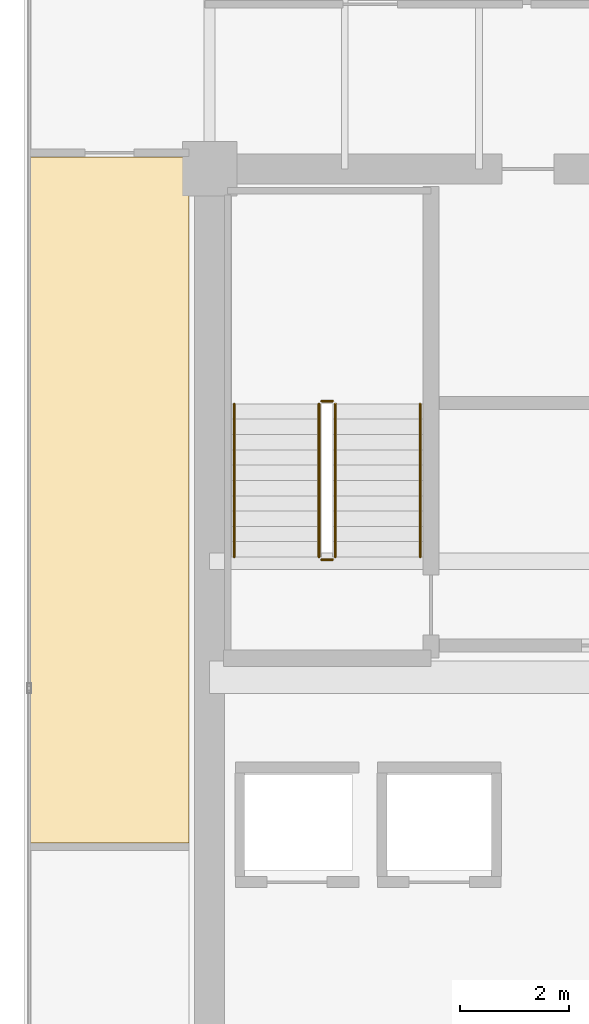
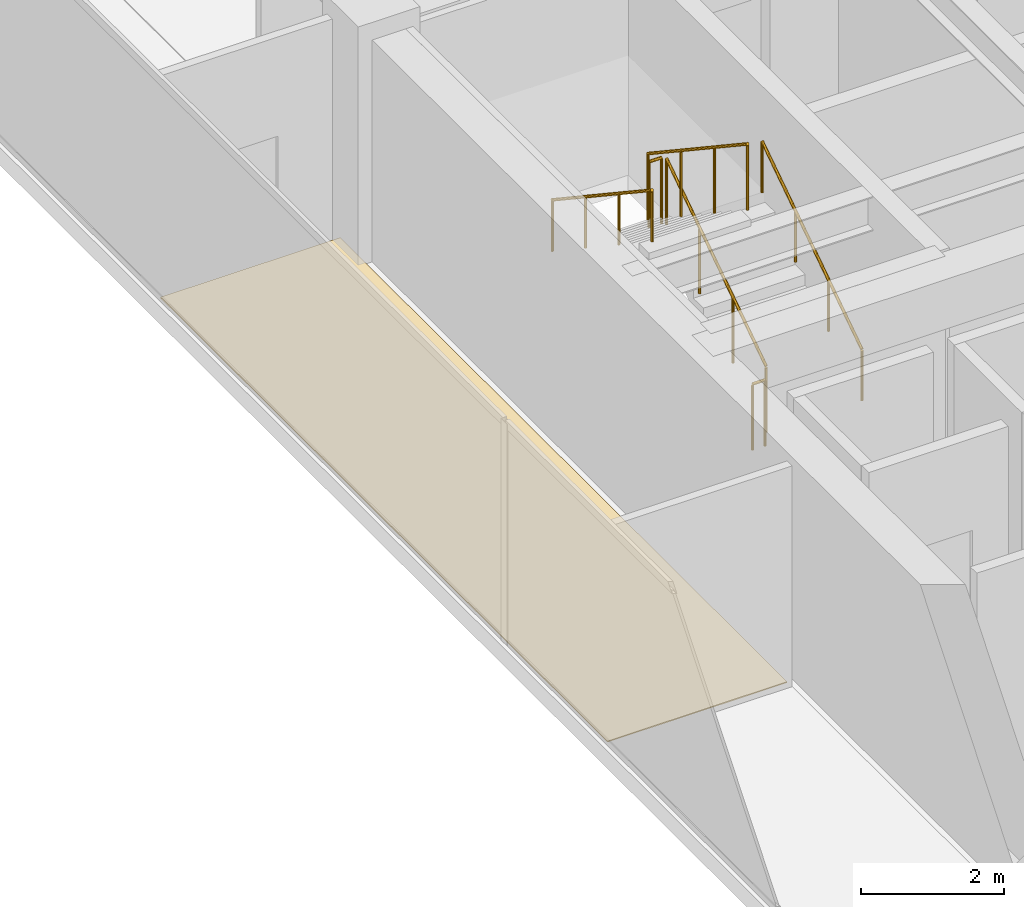
# One storey, part 33 of 36: 6 railings, 1 covering.
"""IFC4 building model written with IfcOpenShell, lengths in metres."""

from ifc_helpers import new_model, si_unit, direction, frame, origin, origin_2d, place, context, subcontext, project, spatial, polyline, circle, outline, extrude, source, transform, mapped, material, layer, layer_set, type_object, type_shapes, element, save


model = new_model("IFC4")

# Units and contexts
model_context = context("Model", 3, precision=1e-05, world=origin(), true_north=direction((0.0, 1.0)))
body_context = subcontext(model_context, "Body", "Model", "MODEL_VIEW")
ifc_project = project(units=[si_unit("LENGTHUNIT", "METRE"), si_unit("AREAUNIT", "SQUARE_METRE"), si_unit("VOLUMEUNIT", "CUBIC_METRE"), si_unit("PLANEANGLEUNIT", "RADIAN"), si_unit("MASSUNIT", "GRAM", prefix="KILO")], contexts=[model_context])

# Site, building, storey
site_placement = place(None, origin())
site = spatial("IfcSite", under=ifc_project, at=site_placement, CompositionType="ELEMENT")
building_placement = place(site_placement, origin())
building = spatial("IfcBuilding", under=site, at=building_placement, Name="Haelvirn Gate Laboratories", CompositionType="ELEMENT")
storey_placement = place(building_placement, frame((0.0, 0.0, 254.699951171875)))
storey = spatial("IfcBuildingStorey", under=building, at=storey_placement, Name="L61", CompositionType="ELEMENT", Elevation=254.699951171875)

# Covering
ifc_material_1 = material(Name="Seamless chemical-resistant epoxy laboratory flooring")
ifc_layer = layer(ifc_material_1, 0.01806640625, Name="COV-FLR-RESIN")
ifc_layer_set = layer_set([ifc_layer], Name="Seamless chemical-resistant epoxy laboratory flooring")
covering_type = type_object("IfcCoveringType", Name="COV-FLR-RESIN", PredefinedType="FLOORING", material=ifc_layer_set)
covering_placement = place(storey_placement, origin())
element("IfcCovering", 1, at=covering_placement, inside=storey, type_object=covering_type, Name="L61 Seamless Laboratory Flooring FLR-SP-L61-WZ3-N", PredefinedType="FLOORING", context=body_context, shape_type="SweptSolid", body=[
    extrude(outline(polyline([(4.110107421875, 34.014892578125), (7.02001953125, 34.014892578125), (7.02001953125, 21.469970703125), (4.110107421875, 21.469970703125), (4.110107421875, 34.014892578125)])), origin(), (0.0, 0.0, 1.0), 0.01806640625),
])

# Railings
ifc_material_2 = material(Name="Galvanised steel SM355 & stainless top rail", Category="steel")
railing_type_1 = type_object("IfcRailingType", Name="RL-GUARD-1150", PredefinedType="GUARDRAIL", material=ifc_material_2)
shared_shape_1 = source(origin(), body_context, "Body", "SweptSolid", [
    extrude(circle(Radius=0.02392578125, at=origin_2d()), frame((0.0, 0.0, 1.1259765625), z_axis=(-1.0, 0.0, 0.0), x_axis=(0.0, -1.0, 0.0)), (0.0, 0.0, 1.0), 0.199951171875),
    extrude(circle(Radius=0.02099609375, at=origin_2d()), origin(), (0.0, 0.0, 1.0), 1.101806640625),
    extrude(circle(Radius=0.02099609375, at=origin_2d()), frame((-0.199951171875, 0.0, 0.0)), (0.0, 0.0, 1.0), 1.101806640625),
])
for number, where, name in (
    (2, (9.64990234375, 29.550048828125, 2.050048828125), "L61 ST1 stair guard 2"),
    (3, (9.64990234375, 26.64990234375, 0.0), "L61 ST1 stair guard 4"),
):
    element("IfcRailing", number, at=place(storey_placement, frame(where)), inside=storey, type_object=railing_type_1, Name=name, PredefinedType="GUARDRAIL", context=body_context, shape_type="MappedRepresentation", body=[
        mapped(shared_shape_1, transform((0.0, 0.0, 0.0), scale=1.0)),
    ])
shared_shape_2 = source(origin(), body_context, "Body", "SweptSolid", [
    extrude(circle(Radius=0.02392578125, at=origin_2d()), frame((0.0, 0.0, 1.1259765625), z_axis=(0.0, 0.832485552168, 0.554046753832), x_axis=(-1.0, 0.0, 0.0)), (0.0, 0.0, 1.0), 3.363525390625),
    extrude(circle(Radius=0.02099609375, at=origin_2d()), origin(), (0.0, 0.0, 1.0), 1.101806640625),
    extrude(circle(Radius=0.02099609375, at=origin_2d()), frame((0.0, 0.933349609375, 0.62109375)), (0.0, 0.0, 1.0), 1.101806640625),
    extrude(circle(Radius=0.02099609375, at=origin_2d()), frame((0.0, 1.86669921875, 1.242431640625)), (0.0, 0.0, 1.0), 1.101806640625),
    extrude(circle(Radius=0.02099609375, at=origin_2d()), frame((0.0, 2.800048828125, 1.863525390625)), (0.0, 0.0, 1.0), 1.101806640625),
])
railing_1_placement = place(storey_placement, frame((9.699951171875, 26.699951171875, 0.1865234375)))
element("IfcRailing", 4, at=railing_1_placement, inside=storey, type_object=railing_type_1, Name="L61 ST1 stair guard 1", PredefinedType="GUARDRAIL", context=body_context, shape_type="MappedRepresentation", body=[
    mapped(shared_shape_2, transform((0.0, 0.0, 0.0), scale=1.0)),
])
shared_shape_3 = source(origin(), body_context, "Body", "SweptSolid", [
    extrude(circle(Radius=0.02392578125, at=origin_2d()), frame((0.0, 0.0, 1.1259765625), z_axis=(0.0, -0.832452072856, 0.554097055034), x_axis=(1.0, 0.0, 0.0)), (0.0, 0.0, 1.0), 3.363525390625),
    extrude(circle(Radius=0.02099609375, at=origin_2d()), origin(), (0.0, 0.0, 1.0), 1.101806640625),
    extrude(circle(Radius=0.02099609375, at=origin_2d()), frame((0.0, -0.933349609375, 0.621337890625)), (0.0, 0.0, 1.0), 1.101806640625),
    extrude(circle(Radius=0.02099609375, at=origin_2d()), frame((0.0, -1.86669921875, 1.242431640625)), (0.0, 0.0, 1.0), 1.101806640625),
    extrude(circle(Radius=0.02099609375, at=origin_2d()), frame((0.0, -2.800048828125, 1.86376953125)), (0.0, 0.0, 1.0), 1.101806640625),
])
type_shapes(railing_type_1, [shared_shape_1, shared_shape_2, shared_shape_3])
railing_2_placement = place(storey_placement, frame((9.39990234375, 29.5, 2.236328125)))
element("IfcRailing", 5, at=railing_2_placement, inside=storey, type_object=railing_type_1, Name="L61 ST1 stair guard 3", PredefinedType="GUARDRAIL", context=body_context, shape_type="MappedRepresentation", body=[
    mapped(shared_shape_3, transform((0.0, 0.0, 0.0), scale=1.0)),
])
ifc_material_3 = material(Name="Brushed stainless steel 316L", Category="steel")
railing_type_2 = type_object("IfcRailingType", Name="RL-HAND-920", PredefinedType="HANDRAIL", material=ifc_material_3)
shared_shape_4 = source(origin(), body_context, "Body", "SweptSolid", [
    extrude(circle(Radius=0.02392578125, at=origin_2d()), frame((0.0, 0.0, 0.8759765625), z_axis=(0.0, 0.832485552168, 0.554046753832), x_axis=(-1.0, 0.0, 0.0)), (0.0, 0.0, 1.0), 3.363525390625),
    extrude(circle(Radius=0.02099609375, at=origin_2d()), origin(), (0.0, 0.0, 1.0), 0.851806640625),
    extrude(circle(Radius=0.02099609375, at=origin_2d()), frame((0.0, 0.933349609375, 0.62109375)), (0.0, 0.0, 1.0), 0.851806640625),
    extrude(circle(Radius=0.02099609375, at=origin_2d()), frame((0.0, 1.86669921875, 1.242431640625)), (0.0, 0.0, 1.0), 0.851806640625),
    extrude(circle(Radius=0.02099609375, at=origin_2d()), frame((0.0, 2.800048828125, 1.863525390625)), (0.0, 0.0, 1.0), 0.851806640625),
])
railing_3_placement = place(storey_placement, frame((11.25, 26.699951171875, 0.1865234375)))
element("IfcRailing", 6, at=railing_3_placement, inside=storey, type_object=railing_type_2, Name="L61 ST1 stair handrail 1", PredefinedType="HANDRAIL", context=body_context, shape_type="MappedRepresentation", body=[
    mapped(shared_shape_4, transform((0.0, 0.0, 0.0), scale=1.0)),
])
shared_shape_5 = source(origin(), body_context, "Body", "SweptSolid", [
    extrude(circle(Radius=0.02392578125, at=origin_2d()), frame((0.0, 0.0, 0.8759765625), z_axis=(0.0, -0.832452072856, 0.554097055034), x_axis=(1.0, 0.0, 0.0)), (0.0, 0.0, 1.0), 3.363525390625),
    extrude(circle(Radius=0.02099609375, at=origin_2d()), origin(), (0.0, 0.0, 1.0), 0.851806640625),
    extrude(circle(Radius=0.02099609375, at=origin_2d()), frame((0.0, -0.933349609375, 0.621337890625)), (0.0, 0.0, 1.0), 0.851806640625),
    extrude(circle(Radius=0.02099609375, at=origin_2d()), frame((0.0, -1.86669921875, 1.242431640625)), (0.0, 0.0, 1.0), 0.851806640625),
    extrude(circle(Radius=0.02099609375, at=origin_2d()), frame((0.0, -2.800048828125, 1.86376953125)), (0.0, 0.0, 1.0), 0.851806640625),
])
type_shapes(railing_type_2, [shared_shape_4, shared_shape_5])
railing_4_placement = place(storey_placement, frame((7.85009765625, 29.5, 2.236328125)))
element("IfcRailing", 7, at=railing_4_placement, inside=storey, type_object=railing_type_2, Name="L61 ST1 stair handrail 2", PredefinedType="HANDRAIL", context=body_context, shape_type="MappedRepresentation", body=[
    mapped(shared_shape_5, transform((0.0, 0.0, 0.0), scale=1.0)),
])

save(model, "model.ifc")
